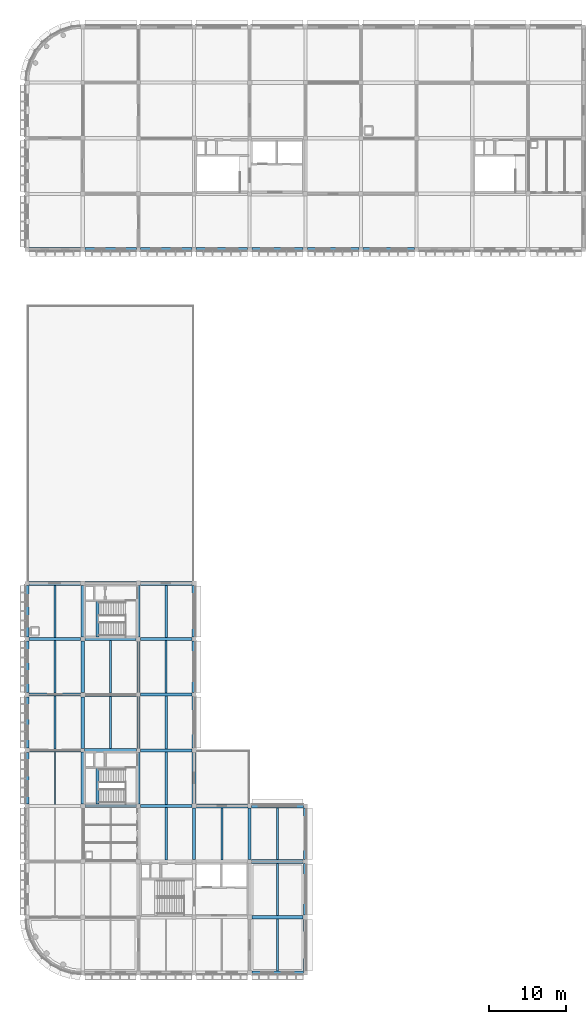
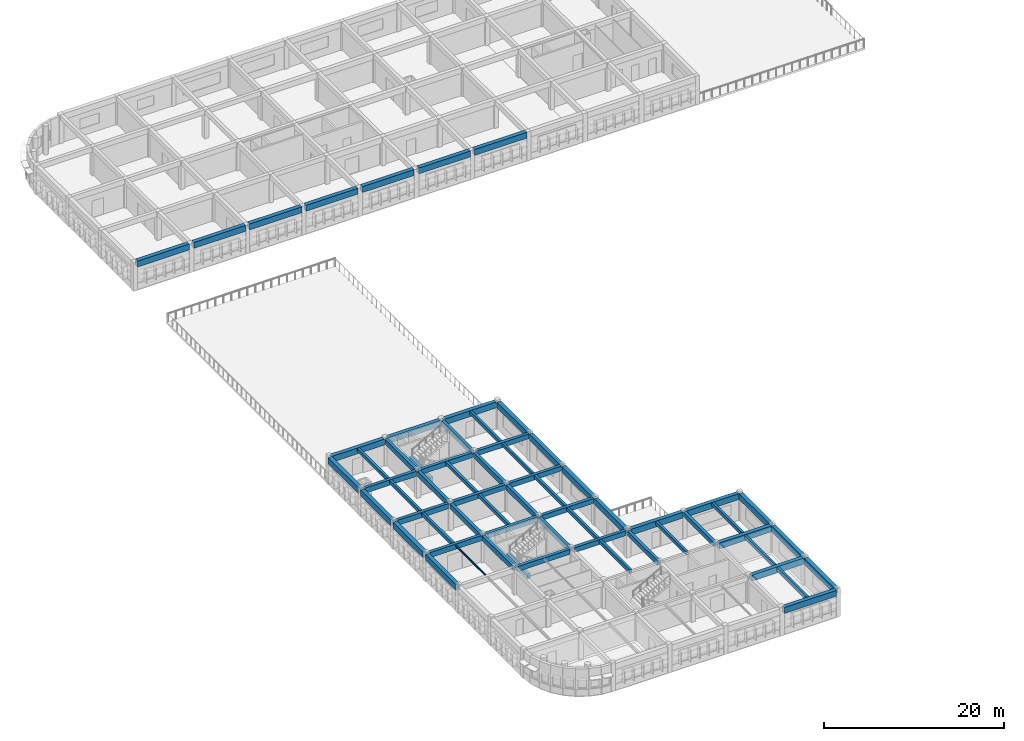
# One storey, part 2 of 22: 64 beams.
"""IFC4 building model written with IfcOpenShell, lengths in metres."""

from ifc_helpers import new_model, si_unit, direction, frame, origin, origin_2d, place, context, subcontext, project, spatial, rectangle, i_section, extrude, material, material_profile, profile_set, type_object, element, save


model = new_model("IFC4")

# Units and contexts
model_context = context("Model", 3, precision=1e-05, world=origin(), true_north=direction((0.0, 1.0)))
body_context = subcontext(model_context, "Body", "Model", "MODEL_VIEW")
ifc_project = project(units=[si_unit("LENGTHUNIT", "METRE"), si_unit("AREAUNIT", "SQUARE_METRE"), si_unit("VOLUMEUNIT", "CUBIC_METRE"), si_unit("PLANEANGLEUNIT", "RADIAN"), si_unit("MASSUNIT", "GRAM", prefix="KILO")], contexts=[model_context])

# Site, building, storey
site_placement = place(None, origin())
site = spatial("IfcSite", under=ifc_project, at=site_placement, CompositionType="ELEMENT")
building_placement = place(site_placement, origin())
building = spatial("IfcBuilding", under=site, at=building_placement, Name="Thalmaran Polytechnic", CompositionType="ELEMENT")
storey_placement = place(building_placement, frame((0.0, 0.0, 22.800048828125)))
storey = spatial("IfcBuildingStorey", under=building, at=storey_placement, Name="L05", CompositionType="ELEMENT", Elevation=22.800048828125)

# Beams
ifc_material_1 = material(Name="Concrete C40/50", Category="concrete")
ifc_material_profile_1 = material_profile(ifc_material_1, rectangle(XDim=0.5, YDim=0.800048828125, at=origin_2d()), Name="RC 500x800")
ifc_profile_set_1 = profile_set([ifc_material_profile_1], Name="Concrete C40/50")
beam_type_1 = type_object("IfcBeamType", Name="BM-RC02", PredefinedType="BEAM", material=ifc_profile_set_1)
beam_1_placement = place(storey_placement, frame((29.074951171875, 7.199951171875, 3.27001953125), z_axis=(1.0, 0.0, 0.0), x_axis=(0.0, 1.0, 0.0)))
element("IfcBeam", 1, at=beam_1_placement, inside=storey, type_object=beam_type_1, Name="Grid Beam B02 L05 X(4,1)", PredefinedType="BEAM", context=body_context, shape_type="SweptSolid", body=[
    extrude(rectangle(XDim=0.5, YDim=0.800048828125, at=origin_2d()), origin(), (0.0, 0.0, 1.0), 6.635009765625),
])
beam_2_placement = place(storey_placement, frame((29.06005859375, 14.39990234375, 3.27001953125), z_axis=(1.0, 0.0, 0.0), x_axis=(0.0, 1.0, 0.0)))
element("IfcBeam", 2, at=beam_2_placement, inside=storey, type_object=beam_type_1, Name="Grid Beam B02 L05 X(4,2)", PredefinedType="BEAM", context=body_context, shape_type="SweptSolid", body=[
    extrude(rectangle(XDim=0.5, YDim=0.800048828125, at=origin_2d()), origin(), (0.0, 0.0, 1.0), 6.6650390625),
])
ifc_material_profile_2 = material_profile(ifc_material_1, rectangle(XDim=0.39990234375, YDim=0.699951171875, at=origin_2d()), Name="RC 400x700")
ifc_profile_set_2 = profile_set([ifc_material_profile_2], Name="Concrete C40/50")
beam_type_2 = type_object("IfcBeamType", Name="BM-RC05", PredefinedType="BEAM", material=ifc_profile_set_2)
beam_3_placement = place(storey_placement, frame((0.2900390625, 28.800048828125, 3.320068359375), z_axis=(1.0, 0.0, 0.0), x_axis=(0.0, 1.0, 0.0)))
element("IfcBeam", 3, at=beam_3_placement, inside=storey, type_object=beam_type_2, Name="Grid Beam B05 L05 X(0,4)", PredefinedType="BEAM", context=body_context, shape_type="SweptSolid", body=[
    extrude(rectangle(XDim=0.39990234375, YDim=0.699951171875, at=origin_2d()), origin(), (0.0, 0.0, 1.0), 6.659912109375),
])
beam_4_placement = place(storey_placement, frame((0.27490234375, 36.0, 3.320068359375), z_axis=(1.0, 0.0, 0.0), x_axis=(0.0, 1.0, 0.0)))
element("IfcBeam", 4, at=beam_4_placement, inside=storey, type_object=beam_type_2, Name="Grid Beam B05 L05 X(0,5)", PredefinedType="BEAM", context=body_context, shape_type="SweptSolid", body=[
    extrude(rectangle(XDim=0.39990234375, YDim=0.699951171875, at=origin_2d()), origin(), (0.0, 0.0, 1.0), 6.635009765625),
])
beam_5_placement = place(storey_placement, frame((0.260009765625, 43.199951171875, 3.320068359375), z_axis=(1.0, 0.0, 0.0), x_axis=(0.0, 1.0, 0.0)))
element("IfcBeam", 5, at=beam_5_placement, inside=storey, type_object=beam_type_2, Name="Grid Beam B05 L05 X(0,6)", PredefinedType="BEAM", context=body_context, shape_type="SweptSolid", body=[
    extrude(rectangle(XDim=0.39990234375, YDim=0.699951171875, at=origin_2d()), origin(), (0.0, 0.0, 1.0), 6.6650390625),
])
ifc_material_profile_3 = material_profile(ifc_material_1, rectangle(XDim=0.39990234375, YDim=0.64990234375, at=origin_2d()), Name="RC 400x650")
ifc_profile_set_3 = profile_set([ifc_material_profile_3], Name="Concrete C40/50")
beam_type_3 = type_object("IfcBeamType", Name="BM-RC06", PredefinedType="BEAM", material=ifc_profile_set_3)
beam_6_placement = place(storey_placement, frame((14.675048828125, 21.60009765625, 3.344970703125), z_axis=(1.0, 0.0, 0.0), x_axis=(0.0, 1.0, 0.0)))
element("IfcBeam", 6, at=beam_6_placement, inside=storey, type_object=beam_type_3, Name="Grid Beam B06 L05 X(2,3)", PredefinedType="BEAM", context=body_context, shape_type="SweptSolid", body=[
    extrude(rectangle(XDim=0.39990234375, YDim=0.64990234375, at=origin_2d()), origin(), (0.0, 0.0, 1.0), 6.635009765625),
])
beam_7_placement = place(storey_placement, frame((14.659912109375, 28.800048828125, 3.344970703125), z_axis=(1.0, 0.0, 0.0), x_axis=(0.0, 1.0, 0.0)))
element("IfcBeam", 7, at=beam_7_placement, inside=storey, type_object=beam_type_3, Name="Grid Beam B06 L05 X(2,4)", PredefinedType="BEAM", context=body_context, shape_type="SweptSolid", body=[
    extrude(rectangle(XDim=0.39990234375, YDim=0.64990234375, at=origin_2d()), origin(), (0.0, 0.0, 1.0), 6.6650390625),
])
beam_8_placement = place(storey_placement, frame((14.64990234375, 36.0, 3.344970703125), z_axis=(1.0, 0.0, 0.0), x_axis=(0.0, 1.0, 0.0)))
element("IfcBeam", 8, at=beam_8_placement, inside=storey, type_object=beam_type_3, Name="Grid Beam B06 L05 X(2,5)", PredefinedType="BEAM", context=body_context, shape_type="SweptSolid", body=[
    extrude(rectangle(XDim=0.39990234375, YDim=0.64990234375, at=origin_2d()), origin(), (0.0, 0.0, 1.0), 6.690185546875),
])
beam_9_placement = place(storey_placement, frame((14.68994140625, 43.199951171875, 3.344970703125), z_axis=(1.0, 0.0, 0.0), x_axis=(0.0, 1.0, 0.0)))
element("IfcBeam", 9, at=beam_9_placement, inside=storey, type_object=beam_type_3, Name="Grid Beam B06 L05 X(2,6)", PredefinedType="BEAM", context=body_context, shape_type="SweptSolid", body=[
    extrude(rectangle(XDim=0.39990234375, YDim=0.64990234375, at=origin_2d()), origin(), (0.0, 0.0, 1.0), 6.66015625),
])
ifc_material_profile_4 = material_profile(ifc_material_1, rectangle(XDim=0.389892578125, YDim=0.68505859375, at=origin_2d()), Name="RC 390x685")
ifc_profile_set_4 = profile_set([ifc_material_profile_4], Name="Concrete C40/50")
beam_type_4 = type_object("IfcBeamType", Name="BM-RC08", PredefinedType="BEAM", material=ifc_profile_set_4)
beam_10_placement = place(storey_placement, frame((7.199951171875, 21.860107421875, 3.327392578125), z_axis=(0.0, 1.0, 0.0), x_axis=(-1.0, 0.0, 0.0)))
element("IfcBeam", 10, at=beam_10_placement, inside=storey, type_object=beam_type_4, Name="Grid Beam B08 L05 Y(1,3)", PredefinedType="BEAM", context=body_context, shape_type="SweptSolid", body=[
    extrude(rectangle(XDim=0.389892578125, YDim=0.68505859375, at=origin_2d()), origin(), (0.0, 0.0, 1.0), 6.68994140625),
])
beam_11_placement = place(storey_placement, frame((14.39990234375, 21.875, 3.327392578125), z_axis=(0.0, 1.0, 0.0), x_axis=(-1.0, 0.0, 0.0)))
element("IfcBeam", 11, at=beam_11_placement, inside=storey, type_object=beam_type_4, Name="Grid Beam B08 L05 Y(2,3)", PredefinedType="BEAM", context=body_context, shape_type="SweptSolid", body=[
    extrude(rectangle(XDim=0.389892578125, YDim=0.68505859375, at=origin_2d()), origin(), (0.0, 0.0, 1.0), 6.6650390625),
])
ifc_material_profile_5 = material_profile(ifc_material_1, rectangle(XDim=0.389892578125, YDim=0.68994140625, at=origin_2d()), Name="RC 390x690")
ifc_profile_set_5 = profile_set([ifc_material_profile_5], Name="Concrete C40/50")
beam_type_5 = type_object("IfcBeamType", Name="BM-RC09", PredefinedType="BEAM", material=ifc_profile_set_5)
beam_12_placement = place(storey_placement, frame((7.199951171875, 36.2900390625, 3.324951171875), z_axis=(0.0, 1.0, 0.0), x_axis=(-1.0, 0.0, 0.0)))
element("IfcBeam", 12, at=beam_12_placement, inside=storey, type_object=beam_type_5, Name="Grid Beam B09 L05 Y(1,5)", PredefinedType="BEAM", context=body_context, shape_type="SweptSolid", body=[
    extrude(rectangle(XDim=0.389892578125, YDim=0.68994140625, at=origin_2d()), origin(), (0.0, 0.0, 1.0), 6.635009765625),
])
beam_13_placement = place(storey_placement, frame((14.39990234375, 36.25, 3.324951171875), z_axis=(0.0, 1.0, 0.0), x_axis=(-1.0, 0.0, 0.0)))
element("IfcBeam", 13, at=beam_13_placement, inside=storey, type_object=beam_type_5, Name="Grid Beam B09 L05 Y(2,5)", PredefinedType="BEAM", context=body_context, shape_type="SweptSolid", body=[
    extrude(rectangle(XDim=0.389892578125, YDim=0.68994140625, at=origin_2d()), origin(), (0.0, 0.0, 1.0), 6.659912109375),
])
ifc_material_profile_6 = material_profile(ifc_material_1, rectangle(XDim=0.389892578125, YDim=0.695068359375, at=origin_2d()), Name="RC 390x695")
ifc_profile_set_6 = profile_set([ifc_material_profile_6], Name="Concrete C40/50")
beam_type_6 = type_object("IfcBeamType", Name="BM-RC10", PredefinedType="BEAM", material=ifc_profile_set_6)
for number, where, z_axis, x_axis, name in (
    (14, (9.1201171875, 21.840087890625, 1.489990234375), (0.0, 1.0, 0.0), (-1.0, 0.0, 0.0), "ST3 L05 Half-Landing Trimmer Beam"),
    (15, (9.1201171875, 43.43994140625, 1.489990234375), (0.0, 1.0, 0.0), (-1.0, 0.0, 0.0), "ST4 L05 Half-Landing Trimmer Beam"),
):
    element("IfcBeam", number, at=place(storey_placement, frame(where, z_axis=z_axis, x_axis=x_axis)), inside=storey, type_object=beam_type_6, Name=name, PredefinedType="BEAM", context=body_context, shape_type="SweptSolid", body=[
        extrude(rectangle(XDim=0.389892578125, YDim=0.695068359375, at=origin_2d()), origin(), (0.0, 0.0, 1.0), 4.699951171875),
    ])
ifc_material_profile_7 = material_profile(ifc_material_1, rectangle(XDim=0.300048828125, YDim=0.5, at=origin_2d()), Name="RC 300x500")
ifc_profile_set_7 = profile_set([ifc_material_profile_7], Name="Concrete C40/50")
beam_type_7 = type_object("IfcBeamType", Name="BM-RC11", PredefinedType="JOIST", material=ifc_profile_set_7)
beam_14_placement = place(storey_placement, frame((3.60009765625, 29.0, 3.419921875), z_axis=(0.0, 1.0, 0.0), x_axis=(-1.0, 0.0, 0.0)))
element("IfcBeam", 16, at=beam_14_placement, inside=storey, type_object=beam_type_7, Name="Secondary Floor Rib RB01 L05 (0,4)", PredefinedType="JOIST", context=body_context, shape_type="SweptSolid", body=[
    extrude(rectangle(XDim=0.300048828125, YDim=0.5, at=origin_2d()), origin(), (0.0, 0.0, 1.0), 6.800048828125),
])
beam_15_placement = place(storey_placement, frame((18.0, 14.60009765625, 3.419921875), z_axis=(0.0, 1.0, 0.0), x_axis=(-1.0, 0.0, 0.0)))
element("IfcBeam", 17, at=beam_15_placement, inside=storey, type_object=beam_type_7, Name="Secondary Floor Rib RB01 L05 (2,2)", PredefinedType="JOIST", context=body_context, shape_type="SweptSolid", body=[
    extrude(rectangle(XDim=0.300048828125, YDim=0.5, at=origin_2d()), origin(), (0.0, 0.0, 1.0), 6.7998046875),
])
beam_16_placement = place(storey_placement, frame((32.39990234375, 0.25, 3.419921875), z_axis=(0.0, 1.0, 0.0), x_axis=(-1.0, 0.0, 0.0)))
element("IfcBeam", 18, at=beam_16_placement, inside=storey, type_object=beam_type_7, Name="Secondary Floor Rib RB01 L05 (4,0)", PredefinedType="JOIST", context=body_context, shape_type="SweptSolid", body=[
    extrude(rectangle(XDim=0.300048828125, YDim=0.5, at=origin_2d()), origin(), (0.0, 0.0, 1.0), 6.699951171875),
])
ifc_material_profile_8 = material_profile(ifc_material_1, rectangle(XDim=0.300048828125, YDim=0.449951171875, at=origin_2d()), Name="RC 300x450")
ifc_profile_set_8 = profile_set([ifc_material_profile_8], Name="Concrete C40/50")
beam_type_8 = type_object("IfcBeamType", Name="BM-RC12", PredefinedType="JOIST", material=ifc_profile_set_8)
beam_17_placement = place(storey_placement, frame((3.60009765625, 43.39990234375, 3.445068359375), z_axis=(0.0, 1.0, 0.0), x_axis=(-1.0, 0.0, 0.0)))
element("IfcBeam", 19, at=beam_17_placement, inside=storey, type_object=beam_type_8, Name="Secondary Floor Rib RB02 L05 (0,6)", PredefinedType="JOIST", context=body_context, shape_type="SweptSolid", body=[
    extrude(rectangle(XDim=0.300048828125, YDim=0.449951171875, at=origin_2d()), origin(), (0.0, 0.0, 1.0), 6.75),
])
beam_18_placement = place(storey_placement, frame((10.800048828125, 36.2099609375, 3.445068359375), z_axis=(0.0, 1.0, 0.0), x_axis=(-1.0, 0.0, 0.0)))
element("IfcBeam", 20, at=beam_18_placement, inside=storey, type_object=beam_type_8, Name="Secondary Floor Rib RB02 L05 (1,5)", PredefinedType="JOIST", context=body_context, shape_type="SweptSolid", body=[
    extrude(rectangle(XDim=0.300048828125, YDim=0.449951171875, at=origin_2d()), origin(), (0.0, 0.0, 1.0), 6.780029296875),
])
beam_19_placement = place(storey_placement, frame((18.0, 29.0, 3.445068359375), z_axis=(0.0, 1.0, 0.0), x_axis=(-1.0, 0.0, 0.0)))
element("IfcBeam", 21, at=beam_19_placement, inside=storey, type_object=beam_type_8, Name="Secondary Floor Rib RB02 L05 (2,4)", PredefinedType="JOIST", context=body_context, shape_type="SweptSolid", body=[
    extrude(rectangle(XDim=0.300048828125, YDim=0.449951171875, at=origin_2d()), origin(), (0.0, 0.0, 1.0), 6.800048828125),
])
beam_20_placement = place(storey_placement, frame((32.39990234375, 14.64990234375, 3.445068359375), z_axis=(0.0, 1.0, 0.0), x_axis=(-1.0, 0.0, 0.0)))
element("IfcBeam", 22, at=beam_20_placement, inside=storey, type_object=beam_type_8, Name="Secondary Floor Rib RB02 L05 (4,2)", PredefinedType="JOIST", context=body_context, shape_type="SweptSolid", body=[
    extrude(rectangle(XDim=0.300048828125, YDim=0.449951171875, at=origin_2d()), origin(), (0.0, 0.0, 1.0), 6.7001953125),
])
ifc_material_profile_9 = material_profile(ifc_material_1, rectangle(XDim=0.280029296875, YDim=0.449951171875, at=origin_2d()), Name="RC 280x450")
ifc_profile_set_9 = profile_set([ifc_material_profile_9], Name="Concrete C40/50")
beam_type_9 = type_object("IfcBeamType", Name="BM-RC13", PredefinedType="JOIST", material=ifc_profile_set_9)
beam_21_placement = place(storey_placement, frame((18.0, 43.39990234375, 3.445068359375), z_axis=(0.0, 1.0, 0.0), x_axis=(-1.0, 0.0, 0.0)))
element("IfcBeam", 23, at=beam_21_placement, inside=storey, type_object=beam_type_9, Name="Secondary Floor Rib RB03 L05 (2,6)", PredefinedType="JOIST", context=body_context, shape_type="SweptSolid", body=[
    extrude(rectangle(XDim=0.280029296875, YDim=0.449951171875, at=origin_2d()), origin(), (0.0, 0.0, 1.0), 6.75),
])
ifc_material_2 = material(Name="Steel S355", Category="steel")
ifc_material_profile_10 = material_profile(ifc_material_2, i_section(OverallWidth=0.110107421875, OverallDepth=0.219970703125, WebThickness=0.005859375, FlangeThickness=0.00927734375, at=origin_2d()), Name="IPE 220")
ifc_profile_set_10 = profile_set([ifc_material_profile_10], Name="Steel S355")
beam_type_10 = type_object("IfcBeamType", Name="BM-SJ04", PredefinedType="JOIST", material=ifc_profile_set_10)
beam_22_placement = place(storey_placement, frame((3.60009765625, 21.800048828125, 3.56005859375), z_axis=(0.0, 1.0, 0.0), x_axis=(-1.0, 0.0, 0.0)))
element("IfcBeam", 24, at=beam_22_placement, inside=storey, type_object=beam_type_10, Name="Secondary Floor Rib SJ04 L05 (0,3)", PredefinedType="JOIST", context=body_context, shape_type="SweptSolid", body=[
    extrude(i_section(OverallWidth=0.110107421875, OverallDepth=0.219970703125, WebThickness=0.005859375, FlangeThickness=0.00927734375, at=origin_2d()), origin(), (0.0, 0.0, 1.0), 6.800048828125),
])
ifc_material_profile_11 = material_profile(ifc_material_1, rectangle(XDim=0.5, YDim=0.804931640625, at=origin_2d()), Name="RC 500x805")
ifc_profile_set_11 = profile_set([ifc_material_profile_11], Name="Concrete C40/50")
beam_type_11 = type_object("IfcBeamType", Name="BM-SP03", PredefinedType="SPANDREL", material=ifc_profile_set_11)
beam_23_placement = place(storey_placement, frame((0.25, 50.39990234375, 3.267333984375), z_axis=(1.0, 0.0, 0.0), x_axis=(0.0, 1.0, 0.0)))
element("IfcBeam", 25, at=beam_23_placement, inside=storey, type_object=beam_type_11, Name="Grid Beam SP03 L05 X(0,7)", PredefinedType="SPANDREL", context=body_context, shape_type="SweptSolid", body=[
    extrude(rectangle(XDim=0.5, YDim=0.804931640625, at=origin_2d()), origin(), (0.0, 0.0, 1.0), 6.68994140625),
])
beam_24_placement = place(storey_placement, frame((0.27490234375, 93.60009765625, 3.49755859375), z_axis=(1.0, 0.0, 0.0), x_axis=(0.0, 1.0, 0.0)))
element("IfcBeam", 26, at=beam_24_placement, inside=storey, type_object=beam_type_11, Name="Grid Beam SP03 L05 X(0,13)", PredefinedType="SPANDREL", context=body_context, shape_type="SweptSolid", body=[
    extrude(rectangle(XDim=0.5, YDim=0.804931640625, at=origin_2d()), origin(), (0.0, 0.0, 1.0), 6.635009765625),
])
beam_25_placement = place(storey_placement, frame((7.4599609375, 50.39990234375, 3.267333984375), z_axis=(1.0, 0.0, 0.0), x_axis=(0.0, 1.0, 0.0)))
element("IfcBeam", 27, at=beam_25_placement, inside=storey, type_object=beam_type_11, Name="Grid Beam SP03 L05 X(1,7)", PredefinedType="SPANDREL", context=body_context, shape_type="SweptSolid", body=[
    extrude(rectangle(XDim=0.5, YDim=0.804931640625, at=origin_2d()), origin(), (0.0, 0.0, 1.0), 6.6650390625),
])
beam_26_placement = place(storey_placement, frame((7.489990234375, 93.60009765625, 3.49755859375), z_axis=(1.0, 0.0, 0.0), x_axis=(0.0, 1.0, 0.0)))
element("IfcBeam", 28, at=beam_26_placement, inside=storey, type_object=beam_type_11, Name="Grid Beam SP03 L05 X(1,13)", PredefinedType="SPANDREL", context=body_context, shape_type="SweptSolid", body=[
    extrude(rectangle(XDim=0.5, YDim=0.804931640625, at=origin_2d()), origin(), (0.0, 0.0, 1.0), 6.659912109375),
])
beam_27_placement = place(storey_placement, frame((14.675048828125, 50.39990234375, 3.267333984375), z_axis=(1.0, 0.0, 0.0), x_axis=(0.0, 1.0, 0.0)))
element("IfcBeam", 29, at=beam_27_placement, inside=storey, type_object=beam_type_11, Name="Grid Beam SP03 L05 X(2,7)", PredefinedType="SPANDREL", context=body_context, shape_type="SweptSolid", body=[
    extrude(rectangle(XDim=0.5, YDim=0.804931640625, at=origin_2d()), origin(), (0.0, 0.0, 1.0), 6.635009765625),
])
beam_28_placement = place(storey_placement, frame((14.64990234375, 93.60009765625, 3.49755859375), z_axis=(1.0, 0.0, 0.0), x_axis=(0.0, 1.0, 0.0)))
element("IfcBeam", 30, at=beam_28_placement, inside=storey, type_object=beam_type_11, Name="Grid Beam SP03 L05 X(2,13)", PredefinedType="SPANDREL", context=body_context, shape_type="SweptSolid", body=[
    extrude(rectangle(XDim=0.5, YDim=0.804931640625, at=origin_2d()), origin(), (0.0, 0.0, 1.0), 6.690185546875),
])
beam_29_placement = place(storey_placement, frame((21.889892578125, 21.60009765625, 3.267333984375), z_axis=(1.0, 0.0, 0.0), x_axis=(0.0, 1.0, 0.0)))
element("IfcBeam", 31, at=beam_29_placement, inside=storey, type_object=beam_type_11, Name="Grid Beam SP03 L05 X(3,3)", PredefinedType="SPANDREL", context=body_context, shape_type="SweptSolid", body=[
    extrude(rectangle(XDim=0.5, YDim=0.804931640625, at=origin_2d()), origin(), (0.0, 0.0, 1.0), 6.66015625),
])
beam_30_placement = place(storey_placement, frame((21.860107421875, 93.60009765625, 3.49755859375), z_axis=(1.0, 0.0, 0.0), x_axis=(0.0, 1.0, 0.0)))
element("IfcBeam", 32, at=beam_30_placement, inside=storey, type_object=beam_type_11, Name="Grid Beam SP03 L05 X(3,13)", PredefinedType="SPANDREL", context=body_context, shape_type="SweptSolid", body=[
    extrude(rectangle(XDim=0.5, YDim=0.804931640625, at=origin_2d()), origin(), (0.0, 0.0, 1.0), 6.664794921875),
])
beam_31_placement = place(storey_placement, frame((29.090087890625, 0.0, 3.267333984375), z_axis=(1.0, 0.0, 0.0), x_axis=(0.0, 1.0, 0.0)))
element("IfcBeam", 33, at=beam_31_placement, inside=storey, type_object=beam_type_11, Name="Grid Beam SP03 L05 X(4,0)", PredefinedType="SPANDREL", context=body_context, shape_type="SweptSolid", body=[
    extrude(rectangle(XDim=0.5, YDim=0.804931640625, at=origin_2d()), origin(), (0.0, 0.0, 1.0), 6.659912109375),
])
beam_32_placement = place(storey_placement, frame((29.050048828125, 21.60009765625, 3.267333984375), z_axis=(1.0, 0.0, 0.0), x_axis=(0.0, 1.0, 0.0)))
element("IfcBeam", 34, at=beam_32_placement, inside=storey, type_object=beam_type_11, Name="Grid Beam SP03 L05 X(4,3)", PredefinedType="SPANDREL", context=body_context, shape_type="SweptSolid", body=[
    extrude(rectangle(XDim=0.5, YDim=0.804931640625, at=origin_2d()), origin(), (0.0, 0.0, 1.0), 6.68994140625),
])
beam_33_placement = place(storey_placement, frame((29.074951171875, 93.60009765625, 3.49755859375), z_axis=(1.0, 0.0, 0.0), x_axis=(0.0, 1.0, 0.0)))
element("IfcBeam", 35, at=beam_33_placement, inside=storey, type_object=beam_type_11, Name="Grid Beam SP03 L05 X(4,13)", PredefinedType="SPANDREL", context=body_context, shape_type="SweptSolid", body=[
    extrude(rectangle(XDim=0.5, YDim=0.804931640625, at=origin_2d()), origin(), (0.0, 0.0, 1.0), 6.635009765625),
])
beam_34_placement = place(storey_placement, frame((36.2900390625, 93.60009765625, 3.49755859375), z_axis=(1.0, 0.0, 0.0), x_axis=(0.0, 1.0, 0.0)))
element("IfcBeam", 36, at=beam_34_placement, inside=storey, type_object=beam_type_11, Name="Grid Beam SP03 L05 X(5,13)", PredefinedType="SPANDREL", context=body_context, shape_type="SweptSolid", body=[
    extrude(rectangle(XDim=0.5, YDim=0.804931640625, at=origin_2d()), origin(), (0.0, 0.0, 1.0), 6.659912109375),
])
beam_35_placement = place(storey_placement, frame((43.449951171875, 93.60009765625, 3.49755859375), z_axis=(1.0, 0.0, 0.0), x_axis=(0.0, 1.0, 0.0)))
element("IfcBeam", 37, at=beam_35_placement, inside=storey, type_object=beam_type_11, Name="Grid Beam SP03 L05 X(6,13)", PredefinedType="SPANDREL", context=body_context, shape_type="SweptSolid", body=[
    extrude(rectangle(XDim=0.5, YDim=0.804931640625, at=origin_2d()), origin(), (0.0, 0.0, 1.0), 6.68994140625),
])
beam_36_placement = place(storey_placement, frame((0.0, 21.85009765625, 3.267333984375), z_axis=(0.0, 1.0, 0.0), x_axis=(-1.0, 0.0, 0.0)))
element("IfcBeam", 38, at=beam_36_placement, inside=storey, type_object=beam_type_11, Name="Grid Beam SP03 L05 Y(0,3)", PredefinedType="SPANDREL", context=body_context, shape_type="SweptSolid", body=[
    extrude(rectangle(XDim=0.5, YDim=0.804931640625, at=origin_2d()), origin(), (0.0, 0.0, 1.0), 6.659912109375),
])
beam_37_placement = place(storey_placement, frame((0.0, 29.090087890625, 3.267333984375), z_axis=(0.0, 1.0, 0.0), x_axis=(-1.0, 0.0, 0.0)))
element("IfcBeam", 39, at=beam_37_placement, inside=storey, type_object=beam_type_11, Name="Grid Beam SP03 L05 Y(0,4)", PredefinedType="SPANDREL", context=body_context, shape_type="SweptSolid", body=[
    extrude(rectangle(XDim=0.5, YDim=0.804931640625, at=origin_2d()), origin(), (0.0, 0.0, 1.0), 6.635009765625),
])
beam_38_placement = place(storey_placement, frame((0.0, 36.27490234375, 3.267333984375), z_axis=(0.0, 1.0, 0.0), x_axis=(-1.0, 0.0, 0.0)))
element("IfcBeam", 40, at=beam_38_placement, inside=storey, type_object=beam_type_11, Name="Grid Beam SP03 L05 Y(0,5)", PredefinedType="SPANDREL", context=body_context, shape_type="SweptSolid", body=[
    extrude(rectangle(XDim=0.5, YDim=0.804931640625, at=origin_2d()), origin(), (0.0, 0.0, 1.0), 6.6650390625),
])
beam_39_placement = place(storey_placement, frame((0.0, 43.4599609375, 3.267333984375), z_axis=(0.0, 1.0, 0.0), x_axis=(-1.0, 0.0, 0.0)))
element("IfcBeam", 41, at=beam_39_placement, inside=storey, type_object=beam_type_11, Name="Grid Beam SP03 L05 Y(0,6)", PredefinedType="SPANDREL", context=body_context, shape_type="SweptSolid", body=[
    extrude(rectangle(XDim=0.5, YDim=0.804931640625, at=origin_2d()), origin(), (0.0, 0.0, 1.0), 6.68994140625),
])
beam_40_placement = place(storey_placement, frame((21.60009765625, 21.889892578125, 3.267333984375), z_axis=(0.0, 1.0, 0.0), x_axis=(-1.0, 0.0, 0.0)))
element("IfcBeam", 42, at=beam_40_placement, inside=storey, type_object=beam_type_11, Name="Grid Beam SP03 L05 Y(3,3)", PredefinedType="SPANDREL", context=body_context, shape_type="SweptSolid", body=[
    extrude(rectangle(XDim=0.5, YDim=0.804931640625, at=origin_2d()), origin(), (0.0, 0.0, 1.0), 6.635009765625),
])
beam_41_placement = place(storey_placement, frame((21.60009765625, 29.074951171875, 3.267333984375), z_axis=(0.0, 1.0, 0.0), x_axis=(-1.0, 0.0, 0.0)))
element("IfcBeam", 43, at=beam_41_placement, inside=storey, type_object=beam_type_11, Name="Grid Beam SP03 L05 Y(3,4)", PredefinedType="SPANDREL", context=body_context, shape_type="SweptSolid", body=[
    extrude(rectangle(XDim=0.5, YDim=0.804931640625, at=origin_2d()), origin(), (0.0, 0.0, 1.0), 6.6650390625),
])
beam_42_placement = place(storey_placement, frame((21.60009765625, 36.260009765625, 3.267333984375), z_axis=(0.0, 1.0, 0.0), x_axis=(-1.0, 0.0, 0.0)))
element("IfcBeam", 44, at=beam_42_placement, inside=storey, type_object=beam_type_11, Name="Grid Beam SP03 L05 Y(3,5)", PredefinedType="SPANDREL", context=body_context, shape_type="SweptSolid", body=[
    extrude(rectangle(XDim=0.5, YDim=0.804931640625, at=origin_2d()), origin(), (0.0, 0.0, 1.0), 6.68994140625),
])
beam_43_placement = place(storey_placement, frame((21.60009765625, 43.449951171875, 3.267333984375), z_axis=(0.0, 1.0, 0.0), x_axis=(-1.0, 0.0, 0.0)))
element("IfcBeam", 45, at=beam_43_placement, inside=storey, type_object=beam_type_11, Name="Grid Beam SP03 L05 Y(3,6)", PredefinedType="SPANDREL", context=body_context, shape_type="SweptSolid", body=[
    extrude(rectangle(XDim=0.5, YDim=0.804931640625, at=origin_2d()), origin(), (0.0, 0.0, 1.0), 6.66015625),
])
beam_44_placement = place(storey_placement, frame((36.0, 0.25, 3.267333984375), z_axis=(0.0, 1.0, 0.0), x_axis=(-1.0, 0.0, 0.0)))
element("IfcBeam", 46, at=beam_44_placement, inside=storey, type_object=beam_type_11, Name="Grid Beam SP03 L05 Y(5,0)", PredefinedType="SPANDREL", context=body_context, shape_type="SweptSolid", body=[
    extrude(rectangle(XDim=0.5, YDim=0.804931640625, at=origin_2d()), origin(), (0.0, 0.0, 1.0), 6.659912109375),
])
beam_45_placement = place(storey_placement, frame((36.0, 7.489990234375, 3.267333984375), z_axis=(0.0, 1.0, 0.0), x_axis=(-1.0, 0.0, 0.0)))
element("IfcBeam", 47, at=beam_45_placement, inside=storey, type_object=beam_type_11, Name="Grid Beam SP03 L05 Y(5,1)", PredefinedType="SPANDREL", context=body_context, shape_type="SweptSolid", body=[
    extrude(rectangle(XDim=0.5, YDim=0.804931640625, at=origin_2d()), origin(), (0.0, 0.0, 1.0), 6.635009765625),
])
beam_46_placement = place(storey_placement, frame((36.0, 14.675048828125, 3.267333984375), z_axis=(0.0, 1.0, 0.0), x_axis=(-1.0, 0.0, 0.0)))
element("IfcBeam", 48, at=beam_46_placement, inside=storey, type_object=beam_type_11, Name="Grid Beam SP03 L05 Y(5,2)", PredefinedType="SPANDREL", context=body_context, shape_type="SweptSolid", body=[
    extrude(rectangle(XDim=0.5, YDim=0.804931640625, at=origin_2d()), origin(), (0.0, 0.0, 1.0), 6.6650390625),
])
ifc_material_profile_12 = material_profile(ifc_material_1, rectangle(XDim=0.419921875, YDim=0.659912109375, at=origin_2d()), Name="RC 420x660")
ifc_profile_set_12 = profile_set([ifc_material_profile_12], Name="Concrete C40/50")
beam_type_12 = type_object("IfcBeamType", Name="BM-ZB04", PredefinedType="BEAM", material=ifc_profile_set_12)
beam_47_placement = place(storey_placement, frame((7.4599609375, 21.60009765625, 3.33984375), z_axis=(1.0, 0.0, 0.0), x_axis=(0.0, 1.0, 0.0)))
element("IfcBeam", 49, at=beam_47_placement, inside=storey, type_object=beam_type_12, Name="Grid Beam ZB04 L05 X(1,3)", PredefinedType="BEAM", context=body_context, shape_type="SweptSolid", body=[
    extrude(rectangle(XDim=0.419921875, YDim=0.659912109375, at=origin_2d()), origin(), (0.0, 0.0, 1.0), 6.6650390625),
])
beam_48_placement = place(storey_placement, frame((7.449951171875, 28.800048828125, 3.33984375), z_axis=(1.0, 0.0, 0.0), x_axis=(0.0, 1.0, 0.0)))
element("IfcBeam", 50, at=beam_48_placement, inside=storey, type_object=beam_type_12, Name="Grid Beam ZB04 L05 X(1,4)", PredefinedType="BEAM", context=body_context, shape_type="SweptSolid", body=[
    extrude(rectangle(XDim=0.419921875, YDim=0.659912109375, at=origin_2d()), origin(), (0.0, 0.0, 1.0), 6.68994140625),
])
beam_49_placement = place(storey_placement, frame((7.489990234375, 36.0, 3.33984375), z_axis=(1.0, 0.0, 0.0), x_axis=(0.0, 1.0, 0.0)))
element("IfcBeam", 51, at=beam_49_placement, inside=storey, type_object=beam_type_12, Name="Grid Beam ZB04 L05 X(1,5)", PredefinedType="BEAM", context=body_context, shape_type="SweptSolid", body=[
    extrude(rectangle(XDim=0.419921875, YDim=0.659912109375, at=origin_2d()), origin(), (0.0, 0.0, 1.0), 6.659912109375),
])
beam_50_placement = place(storey_placement, frame((7.47509765625, 43.199951171875, 3.33984375), z_axis=(1.0, 0.0, 0.0), x_axis=(0.0, 1.0, 0.0)))
element("IfcBeam", 52, at=beam_50_placement, inside=storey, type_object=beam_type_12, Name="Grid Beam ZB04 L05 X(1,6)", PredefinedType="BEAM", context=body_context, shape_type="SweptSolid", body=[
    extrude(rectangle(XDim=0.419921875, YDim=0.659912109375, at=origin_2d()), origin(), (0.0, 0.0, 1.0), 6.635009765625),
])
ifc_material_profile_13 = material_profile(ifc_material_1, rectangle(XDim=0.3798828125, YDim=0.635009765625, at=origin_2d()), Name="RC 380x635")
ifc_profile_set_13 = profile_set([ifc_material_profile_13], Name="Concrete C40/50")
beam_type_13 = type_object("IfcBeamType", Name="BM-ZB06", PredefinedType="BEAM", material=ifc_profile_set_13)
beam_51_placement = place(storey_placement, frame((21.60009765625, 14.64990234375, 3.3525390625), z_axis=(0.0, 1.0, 0.0), x_axis=(-1.0, 0.0, 0.0)))
element("IfcBeam", 53, at=beam_51_placement, inside=storey, type_object=beam_type_13, Name="Grid Beam ZB06 L05 Y(3,2)", PredefinedType="BEAM", context=body_context, shape_type="SweptSolid", body=[
    extrude(rectangle(XDim=0.3798828125, YDim=0.635009765625, at=origin_2d()), origin(), (0.0, 0.0, 1.0), 6.66015625),
])
beam_52_placement = place(storey_placement, frame((28.800048828125, 14.659912109375, 3.3525390625), z_axis=(0.0, 1.0, 0.0), x_axis=(-1.0, 0.0, 0.0)))
element("IfcBeam", 54, at=beam_52_placement, inside=storey, type_object=beam_type_13, Name="Grid Beam ZB06 L05 Y(4,2)", PredefinedType="BEAM", context=body_context, shape_type="SweptSolid", body=[
    extrude(rectangle(XDim=0.3798828125, YDim=0.635009765625, at=origin_2d()), origin(), (0.0, 0.0, 1.0), 6.690185546875),
])
ifc_material_profile_14 = material_profile(ifc_material_1, rectangle(XDim=0.39990234375, YDim=0.68505859375, at=origin_2d()), Name="RC 400x685")
ifc_profile_set_14 = profile_set([ifc_material_profile_14], Name="Concrete C40/50")
beam_type_14 = type_object("IfcBeamType", Name="BM-ZB07", PredefinedType="BEAM", material=ifc_profile_set_14)
beam_53_placement = place(storey_placement, frame((7.199951171875, 29.050048828125, 3.327392578125), z_axis=(0.0, 1.0, 0.0), x_axis=(-1.0, 0.0, 0.0)))
element("IfcBeam", 55, at=beam_53_placement, inside=storey, type_object=beam_type_14, Name="Grid Beam ZB07 L05 Y(1,4)", PredefinedType="BEAM", context=body_context, shape_type="SweptSolid", body=[
    extrude(rectangle(XDim=0.39990234375, YDim=0.68505859375, at=origin_2d()), origin(), (0.0, 0.0, 1.0), 6.659912109375),
])
beam_54_placement = place(storey_placement, frame((14.39990234375, 29.06005859375, 3.327392578125), z_axis=(0.0, 1.0, 0.0), x_axis=(-1.0, 0.0, 0.0)))
element("IfcBeam", 56, at=beam_54_placement, inside=storey, type_object=beam_type_14, Name="Grid Beam ZB07 L05 Y(2,4)", PredefinedType="BEAM", context=body_context, shape_type="SweptSolid", body=[
    extrude(rectangle(XDim=0.39990234375, YDim=0.68505859375, at=origin_2d()), origin(), (0.0, 0.0, 1.0), 6.68994140625),
])
ifc_material_profile_15 = material_profile(ifc_material_1, rectangle(XDim=0.39990234375, YDim=0.695068359375, at=origin_2d()), Name="RC 400x695")
ifc_profile_set_15 = profile_set([ifc_material_profile_15], Name="Concrete C40/50")
beam_type_15 = type_object("IfcBeamType", Name="BM-ZB08", PredefinedType="BEAM", material=ifc_profile_set_15)
beam_55_placement = place(storey_placement, frame((7.199951171875, 43.47509765625, 3.322509765625), z_axis=(0.0, 1.0, 0.0), x_axis=(-1.0, 0.0, 0.0)))
element("IfcBeam", 57, at=beam_55_placement, inside=storey, type_object=beam_type_15, Name="Grid Beam ZB08 L05 Y(1,6)", PredefinedType="BEAM", context=body_context, shape_type="SweptSolid", body=[
    extrude(rectangle(XDim=0.39990234375, YDim=0.695068359375, at=origin_2d()), origin(), (0.0, 0.0, 1.0), 6.664794921875),
])
beam_56_placement = place(storey_placement, frame((14.39990234375, 43.489990234375, 3.322509765625), z_axis=(0.0, 1.0, 0.0), x_axis=(-1.0, 0.0, 0.0)))
element("IfcBeam", 58, at=beam_56_placement, inside=storey, type_object=beam_type_15, Name="Grid Beam ZB08 L05 Y(2,6)", PredefinedType="BEAM", context=body_context, shape_type="SweptSolid", body=[
    extrude(rectangle(XDim=0.39990234375, YDim=0.695068359375, at=origin_2d()), origin(), (0.0, 0.0, 1.0), 6.635009765625),
])
ifc_material_profile_16 = material_profile(ifc_material_1, rectangle(XDim=0.280029296875, YDim=0.47998046875, at=origin_2d()), Name="RC 280x480")
ifc_profile_set_16 = profile_set([ifc_material_profile_16], Name="Concrete C40/50")
beam_type_16 = type_object("IfcBeamType", Name="BM-ZJ01", PredefinedType="JOIST", material=ifc_profile_set_16)
beam_57_placement = place(storey_placement, frame((3.60009765625, 36.199951171875, 3.429931640625), z_axis=(0.0, 1.0, 0.0), x_axis=(-1.0, 0.0, 0.0)))
element("IfcBeam", 59, at=beam_57_placement, inside=storey, type_object=beam_type_16, Name="Secondary Floor Rib ZJ01 L05 (0,5)", PredefinedType="JOIST", context=body_context, shape_type="SweptSolid", body=[
    extrude(rectangle(XDim=0.280029296875, YDim=0.47998046875, at=origin_2d()), origin(), (0.0, 0.0, 1.0), 6.800048828125),
])
beam_58_placement = place(storey_placement, frame((10.800048828125, 29.010009765625, 3.429931640625), z_axis=(0.0, 1.0, 0.0), x_axis=(-1.0, 0.0, 0.0)))
element("IfcBeam", 60, at=beam_58_placement, inside=storey, type_object=beam_type_16, Name="Secondary Floor Rib ZJ01 L05 (1,4)", PredefinedType="JOIST", context=body_context, shape_type="SweptSolid", body=[
    extrude(rectangle(XDim=0.280029296875, YDim=0.47998046875, at=origin_2d()), origin(), (0.0, 0.0, 1.0), 6.780029296875),
])
beam_59_placement = place(storey_placement, frame((18.0, 21.800048828125, 3.429931640625), z_axis=(0.0, 1.0, 0.0), x_axis=(-1.0, 0.0, 0.0)))
element("IfcBeam", 61, at=beam_59_placement, inside=storey, type_object=beam_type_16, Name="Secondary Floor Rib ZJ01 L05 (2,3)", PredefinedType="JOIST", context=body_context, shape_type="SweptSolid", body=[
    extrude(rectangle(XDim=0.280029296875, YDim=0.47998046875, at=origin_2d()), origin(), (0.0, 0.0, 1.0), 6.800048828125),
])
beam_60_placement = place(storey_placement, frame((25.199951171875, 14.590087890625, 3.429931640625), z_axis=(0.0, 1.0, 0.0), x_axis=(-1.0, 0.0, 0.0)))
element("IfcBeam", 62, at=beam_60_placement, inside=storey, type_object=beam_type_16, Name="Secondary Floor Rib ZJ01 L05 (3,2)", PredefinedType="JOIST", context=body_context, shape_type="SweptSolid", body=[
    extrude(rectangle(XDim=0.280029296875, YDim=0.47998046875, at=origin_2d()), origin(), (0.0, 0.0, 1.0), 6.760009765625),
])
beam_61_placement = place(storey_placement, frame((32.39990234375, 7.449951171875, 3.429931640625), z_axis=(0.0, 1.0, 0.0), x_axis=(-1.0, 0.0, 0.0)))
element("IfcBeam", 63, at=beam_61_placement, inside=storey, type_object=beam_type_16, Name="Secondary Floor Rib ZJ01 L05 (4,1)", PredefinedType="JOIST", context=body_context, shape_type="SweptSolid", body=[
    extrude(rectangle(XDim=0.280029296875, YDim=0.47998046875, at=origin_2d()), origin(), (0.0, 0.0, 1.0), 6.699951171875),
])
ifc_material_profile_17 = material_profile(ifc_material_1, rectangle(XDim=0.260009765625, YDim=0.43994140625, at=origin_2d()), Name="RC 260x440")
ifc_profile_set_17 = profile_set([ifc_material_profile_17], Name="Concrete C40/50")
beam_type_17 = type_object("IfcBeamType", Name="BM-ZJ02", PredefinedType="JOIST", material=ifc_profile_set_17)
beam_62_placement = place(storey_placement, frame((18.0, 36.199951171875, 3.449951171875), z_axis=(0.0, 1.0, 0.0), x_axis=(-1.0, 0.0, 0.0)))
element("IfcBeam", 64, at=beam_62_placement, inside=storey, type_object=beam_type_17, Name="Secondary Floor Rib ZJ02 L05 (2,5)", PredefinedType="JOIST", context=body_context, shape_type="SweptSolid", body=[
    extrude(rectangle(XDim=0.260009765625, YDim=0.43994140625, at=origin_2d()), origin(), (0.0, 0.0, 1.0), 6.800048828125),
])

save(model, "model.ifc")
